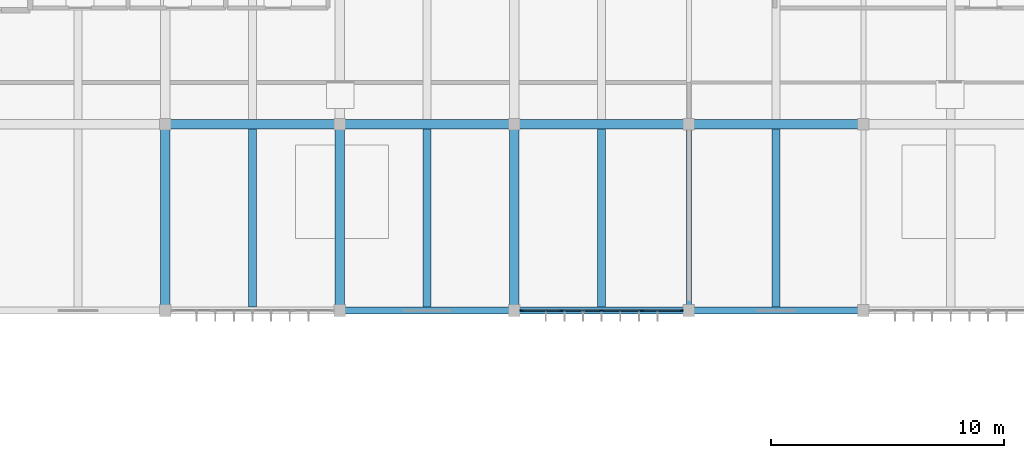
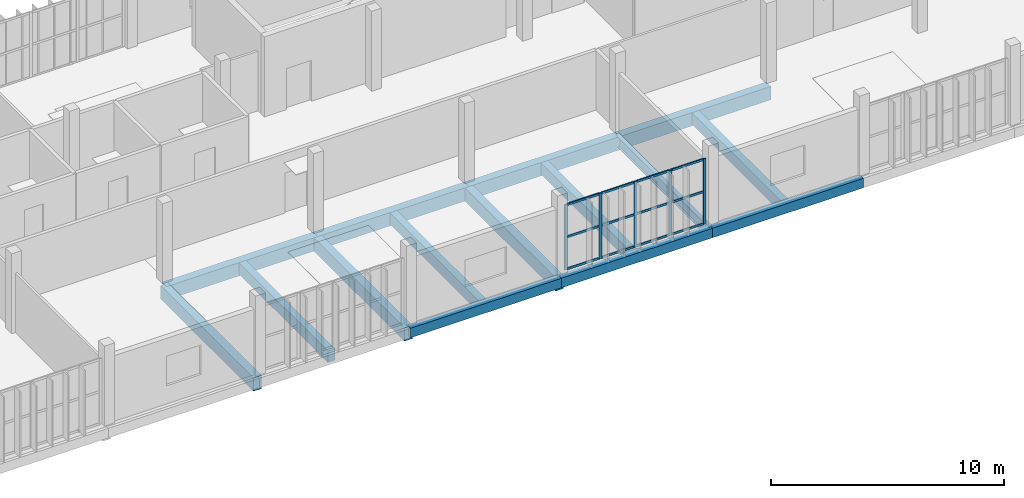
# One storey, part 9 of 27: 17 members, 15 beams, 1 element without a shape of its own.
"""IFC4 building model written with IfcOpenShell, lengths in metres."""

from ifc_helpers import new_model, si_unit, direction, frame, origin, origin_2d, place, context, subcontext, project, spatial, rectangle, i_section, extrude, material, material_profile, profile_set, type_object, element, aggregate, save


model = new_model("IFC4")

# Units and contexts
model_context = context("Model", 3, precision=1e-05, world=origin(), true_north=direction((0.0, 1.0)))
body_context = subcontext(model_context, "Body", "Model", "MODEL_VIEW")
ifc_project = project(units=[si_unit("LENGTHUNIT", "METRE"), si_unit("AREAUNIT", "SQUARE_METRE"), si_unit("VOLUMEUNIT", "CUBIC_METRE"), si_unit("PLANEANGLEUNIT", "RADIAN"), si_unit("MASSUNIT", "GRAM", prefix="KILO")], contexts=[model_context])

# Site, building, storey
site_placement = place(None, origin())
site = spatial("IfcSite", under=ifc_project, at=site_placement, CompositionType="ELEMENT")
building_placement = place(site_placement, origin())
building = spatial("IfcBuilding", under=site, at=building_placement, Name="Vourika Railside Aquatics Centre", CompositionType="ELEMENT")
storey_placement = place(building_placement, frame((0.0, 0.0, 13.5)))
storey = spatial("IfcBuildingStorey", under=building, at=storey_placement, Name="L03", CompositionType="ELEMENT", Elevation=13.5)

# Beams
ifc_material_1 = material(Name="Concrete C35/45", Category="concrete")
ifc_material_profile_1 = material_profile(ifc_material_1, rectangle(XDim=0.39990234375, YDim=0.699951171875, at=origin_2d()), Name="RC 400x700")
ifc_profile_set_1 = profile_set([ifc_material_profile_1], Name="Concrete C35/45")
beam_type_1 = type_object("IfcBeamType", Name="BM-GIRD-400x700", PredefinedType="BEAM", material=ifc_profile_set_1)
for number, where, z_axis, x_axis, name in (
    (1, (66.0, 100.0, -0.610107421875), (1.0, 0.0, 0.0), (0.0, 1.0, 0.0), "Floor Beam GX-L03-061"),
    (2, (73.5, 100.0, -0.610107421875), (1.0, 0.0, 0.0), (0.0, 1.0, 0.0), "Floor Beam GX-L03-062"),
    (3, (81.0, 100.0, -0.610107421875), (1.0, 0.0, 0.0), (0.0, 1.0, 0.0), "Floor Beam GX-L03-063"),
    (4, (88.5, 100.0, -0.610107421875), (1.0, 0.0, 0.0), (0.0, 1.0, 0.0), "Floor Beam GX-L03-064"),
):
    element("IfcBeam", number, at=place(storey_placement, frame(where, z_axis=z_axis, x_axis=x_axis)), inside=storey, type_object=beam_type_1, Name=name, PredefinedType="BEAM", context=body_context, shape_type="SweptSolid", body=[
        extrude(rectangle(XDim=0.39990234375, YDim=0.699951171875, at=origin_2d()), origin(), (0.0, 0.0, 1.0), 7.5),
    ])
for number, where, z_axis, x_axis, name in (
    (5, (66.0, 92.0, -0.610107421875), (0.0, 1.0, 0.0), (-1.0, 0.0, 0.0), "Floor Girder GY-L03-135"),
    (6, (73.5, 92.0, -0.610107421875), (0.0, 1.0, 0.0), (-1.0, 0.0, 0.0), "Floor Girder GY-L03-138"),
    (7, (81.0, 92.0, -0.610107421875), (0.0, 1.0, 0.0), (-1.0, 0.0, 0.0), "Floor Girder GY-L03-141"),
):
    element("IfcBeam", number, at=place(storey_placement, frame(where, z_axis=z_axis, x_axis=x_axis)), inside=storey, type_object=beam_type_1, Name=name, PredefinedType="BEAM", context=body_context, shape_type="SweptSolid", body=[
        extrude(rectangle(XDim=0.39990234375, YDim=0.699951171875, at=origin_2d()), origin(), (0.0, 0.0, 1.0), 8.0),
    ])
ifc_material_profile_2 = material_profile(ifc_material_1, rectangle(XDim=0.35009765625, YDim=0.60009765625, at=origin_2d()), Name="RC 350x600")
ifc_profile_set_2 = profile_set([ifc_material_profile_2], Name="Concrete C35/45")
beam_type_2 = type_object("IfcBeamType", Name="BM-SEC-350x600", PredefinedType="JOIST", material=ifc_profile_set_2)
for number, where, z_axis, x_axis, name in (
    (8, (69.75, 92.14990234375, -0.56005859375), (0.0, 1.0, 0.0), (-1.0, 0.0, 0.0), "Secondary Joist JY-L03-220"),
    (9, (77.25, 92.14990234375, -0.56005859375), (0.0, 1.0, 0.0), (-1.0, 0.0, 0.0), "Secondary Joist JY-L03-221"),
    (10, (84.75, 92.14990234375, -0.56005859375), (0.0, 1.0, 0.0), (-1.0, 0.0, 0.0), "Secondary Joist JY-L03-222"),
    (11, (92.25, 92.14990234375, -0.56005859375), (0.0, 1.0, 0.0), (-1.0, 0.0, 0.0), "Secondary Joist JY-L03-223"),
):
    element("IfcBeam", number, at=place(storey_placement, frame(where, z_axis=z_axis, x_axis=x_axis)), inside=storey, type_object=beam_type_2, Name=name, PredefinedType="JOIST", context=body_context, shape_type="SweptSolid", body=[
        extrude(rectangle(XDim=0.35009765625, YDim=0.60009765625, at=origin_2d()), origin(), (0.0, 0.0, 1.0), 7.650146484375),
    ])
ifc_material_profile_3 = material_profile(ifc_material_1, rectangle(XDim=0.300048828125, YDim=0.5, at=origin_2d()), Name="RC 300x500")
ifc_profile_set_3 = profile_set([ifc_material_profile_3], Name="Concrete C35/45")
beam_type_3 = type_object("IfcBeamType", Name="BM-SPAN-300x500", PredefinedType="SPANDREL", material=ifc_profile_set_3)
for number, where, z_axis, x_axis, name in (
    (12, (73.5, 92.0, -0.510009765625), (1.0, 0.0, 0.0), (0.0, 1.0, 0.0), "Floor Beam GX-L03-043"),
    (13, (81.0, 92.0, -0.510009765625), (1.0, 0.0, 0.0), (0.0, 1.0, 0.0), "Floor Beam GX-L03-044"),
    (14, (88.5, 92.0, -0.510009765625), (1.0, 0.0, 0.0), (0.0, 1.0, 0.0), "Floor Beam GX-L03-045"),
):
    element("IfcBeam", number, at=place(storey_placement, frame(where, z_axis=z_axis, x_axis=x_axis)), inside=storey, type_object=beam_type_3, Name=name, PredefinedType="SPANDREL", context=body_context, shape_type="SweptSolid", body=[
        extrude(rectangle(XDim=0.300048828125, YDim=0.5, at=origin_2d()), origin(), (0.0, 0.0, 1.0), 7.5),
    ])
ifc_material_2 = material(Name="Steel S355J2", Category="steel")
ifc_material_profile_4 = material_profile(ifc_material_2, i_section(OverallWidth=0.2099609375, OverallDepth=0.550048828125, WebThickness=0.010986328125, FlangeThickness=0.01708984375, at=origin_2d()), Name="IPE 550")
ifc_profile_set_4 = profile_set([ifc_material_profile_4], Name="Steel S355J2")
beam_type_4 = type_object("IfcBeamType", Name="BM-STL-IPE550", PredefinedType="BEAM", material=ifc_profile_set_4)
beam_placement = place(storey_placement, frame((88.5, 92.0, -0.534912109375), z_axis=(0.0, 1.0, 0.0), x_axis=(-1.0, 0.0, 0.0)))
element("IfcBeam", 15, at=beam_placement, inside=storey, type_object=beam_type_4, Name="Floor Girder GY-L03-143", PredefinedType="BEAM", context=body_context, shape_type="SweptSolid", body=[
    extrude(i_section(OverallWidth=0.2099609375, OverallDepth=0.550048828125, WebThickness=0.010986328125, FlangeThickness=0.01708984375, at=origin_2d()), origin(), (0.0, 0.0, 1.0), 8.0),
])

# Curtain wall, members
ifc_material_3 = material(Name="Anodized thermally broken aluminium", Category="aluminium")
curtain_wall_type = type_object("IfcCurtainWallType", Name="CW-FIT3", PredefinedType="NOTDEFINED", material=ifc_material_3)
curtain_wall_placement = place(storey_placement, origin())
curtain_wall = element("IfcCurtainWall", 16, at=curtain_wall_placement, inside=storey, type_object=curtain_wall_type, Name="Courtyard Fitness Curtain Wall L03-7", PredefinedType="NOTDEFINED")
ifc_material_4 = material(Name="Anodized aluminium mullion", Category="aluminium")
ifc_material_profile_5 = material_profile(ifc_material_4, rectangle(XDim=0.05810546875, YDim=0.14208984375, at=origin_2d()), Name="ALU-M 58x142")
ifc_profile_set_5 = profile_set([ifc_material_profile_5], Name="Anodized aluminium mullion")
member_type_1 = type_object("IfcMemberType", Name="CWM-FIT3", PredefinedType="MULLION", material=ifc_profile_set_5)
member_1_placement = place(storey_placement, frame((81.30908203125, 92.0, 0.0), z_axis=(0.0, 0.0, 1.0), x_axis=(0.0, 1.0, 0.0)))
member_1 = element("IfcMember", 17, at=member_1_placement, type_object=member_type_1, Name="CW17 mullion 1", PredefinedType="MULLION", context=body_context, shape_type="SweptSolid", body=[
    extrude(rectangle(XDim=0.05810546875, YDim=0.14208984375, at=origin_2d()), origin(), (0.0, 0.0, 1.0), 3.429931640625),
])
member_2_placement = place(storey_placement, frame((83.014892578125, 92.0, 0.0), z_axis=(0.0, 0.0, 1.0), x_axis=(0.0, 1.0, 0.0)))
member_2 = element("IfcMember", 18, at=member_2_placement, type_object=member_type_1, Name="CW17 mullion 2", PredefinedType="MULLION", context=body_context, shape_type="SweptSolid", body=[
    extrude(rectangle(XDim=0.05810546875, YDim=0.14208984375, at=origin_2d()), origin(), (0.0, 0.0, 1.0), 3.429931640625),
])
member_3_placement = place(storey_placement, frame((84.75, 92.0, 0.0), z_axis=(0.0, 0.0, 1.0), x_axis=(0.0, 1.0, 0.0)))
member_3 = element("IfcMember", 19, at=member_3_placement, type_object=member_type_1, Name="CW17 mullion 3", PredefinedType="MULLION", context=body_context, shape_type="SweptSolid", body=[
    extrude(rectangle(XDim=0.05810546875, YDim=0.14208984375, at=origin_2d()), origin(), (0.0, 0.0, 1.0), 3.429931640625),
])
member_4_placement = place(storey_placement, frame((86.485107421875, 92.0, 0.0), z_axis=(0.0, 0.0, 1.0), x_axis=(0.0, 1.0, 0.0)))
member_4 = element("IfcMember", 20, at=member_4_placement, type_object=member_type_1, Name="CW17 mullion 4", PredefinedType="MULLION", context=body_context, shape_type="SweptSolid", body=[
    extrude(rectangle(XDim=0.05810546875, YDim=0.14208984375, at=origin_2d()), origin(), (0.0, 0.0, 1.0), 3.429931640625),
])
member_5_placement = place(storey_placement, frame((88.19091796875, 92.0, 0.0), z_axis=(0.0, 0.0, 1.0), x_axis=(0.0, 1.0, 0.0)))
member_5 = element("IfcMember", 21, at=member_5_placement, type_object=member_type_1, Name="CW17 mullion 5", PredefinedType="MULLION", context=body_context, shape_type="SweptSolid", body=[
    extrude(rectangle(XDim=0.05810546875, YDim=0.14208984375, at=origin_2d()), origin(), (0.0, 0.0, 1.0), 3.429931640625),
])
ifc_material_5 = material(Name="Anodized aluminium transom", Category="aluminium")
ifc_material_profile_6 = material_profile(ifc_material_5, rectangle(XDim=0.05810546875, YDim=0.112060546875, at=origin_2d()), Name="ALU-T 58x112")
ifc_profile_set_6 = profile_set([ifc_material_profile_6], Name="Anodized aluminium transom")
member_type_2 = type_object("IfcMemberType", Name="CWT-FIT3", PredefinedType="USERDEFINED", material=ifc_profile_set_6)
member_6_placement = place(storey_placement, frame((81.337890625, 92.0, 0.029052734375), z_axis=(1.0, 0.0, 0.0), x_axis=(0.0, 1.0, 0.0)))
member_6 = element("IfcMember", 22, at=member_6_placement, type_object=member_type_2, Name="CW17 transom 1.1", ObjectType="TRANSOM", PredefinedType="USERDEFINED", context=body_context, shape_type="SweptSolid", body=[
    extrude(rectangle(XDim=0.05810546875, YDim=0.112060546875, at=origin_2d()), origin(), (0.0, 0.0, 1.0), 1.648193359375),
])
member_7_placement = place(storey_placement, frame((81.337890625, 92.0, 1.715087890625), z_axis=(1.0, 0.0, 0.0), x_axis=(0.0, 1.0, 0.0)))
member_7 = element("IfcMember", 23, at=member_7_placement, type_object=member_type_2, Name="CW17 transom 1.2", ObjectType="TRANSOM", PredefinedType="USERDEFINED", context=body_context, shape_type="SweptSolid", body=[
    extrude(rectangle(XDim=0.05810546875, YDim=0.112060546875, at=origin_2d()), origin(), (0.0, 0.0, 1.0), 1.648193359375),
])
member_8_placement = place(storey_placement, frame((81.337890625, 92.0, 3.40087890625), z_axis=(1.0, 0.0, 0.0), x_axis=(0.0, 1.0, 0.0)))
member_8 = element("IfcMember", 24, at=member_8_placement, type_object=member_type_2, Name="CW17 transom 1.3", ObjectType="TRANSOM", PredefinedType="USERDEFINED", context=body_context, shape_type="SweptSolid", body=[
    extrude(rectangle(XDim=0.05810546875, YDim=0.112060546875, at=origin_2d()), origin(), (0.0, 0.0, 1.0), 1.648193359375),
])
member_9_placement = place(storey_placement, frame((83.0439453125, 92.0, 0.029052734375), z_axis=(1.0, 0.0, 0.0), x_axis=(0.0, 1.0, 0.0)))
member_9 = element("IfcMember", 25, at=member_9_placement, type_object=member_type_2, Name="CW17 transom 2.1", ObjectType="TRANSOM", PredefinedType="USERDEFINED", context=body_context, shape_type="SweptSolid", body=[
    extrude(rectangle(XDim=0.05810546875, YDim=0.112060546875, at=origin_2d()), origin(), (0.0, 0.0, 1.0), 1.677001953125),
])
member_10_placement = place(storey_placement, frame((83.0439453125, 92.0, 1.715087890625), z_axis=(1.0, 0.0, 0.0), x_axis=(0.0, 1.0, 0.0)))
member_10 = element("IfcMember", 26, at=member_10_placement, type_object=member_type_2, Name="CW17 transom 2.2", ObjectType="TRANSOM", PredefinedType="USERDEFINED", context=body_context, shape_type="SweptSolid", body=[
    extrude(rectangle(XDim=0.05810546875, YDim=0.112060546875, at=origin_2d()), origin(), (0.0, 0.0, 1.0), 1.677001953125),
])
member_11_placement = place(storey_placement, frame((83.0439453125, 92.0, 3.40087890625), z_axis=(1.0, 0.0, 0.0), x_axis=(0.0, 1.0, 0.0)))
member_11 = element("IfcMember", 27, at=member_11_placement, type_object=member_type_2, Name="CW17 transom 2.3", ObjectType="TRANSOM", PredefinedType="USERDEFINED", context=body_context, shape_type="SweptSolid", body=[
    extrude(rectangle(XDim=0.05810546875, YDim=0.112060546875, at=origin_2d()), origin(), (0.0, 0.0, 1.0), 1.677001953125),
])
member_12_placement = place(storey_placement, frame((84.779052734375, 92.0, 0.029052734375), z_axis=(1.0, 0.0, 0.0), x_axis=(0.0, 1.0, 0.0)))
member_12 = element("IfcMember", 28, at=member_12_placement, type_object=member_type_2, Name="CW17 transom 3.1", ObjectType="TRANSOM", PredefinedType="USERDEFINED", context=body_context, shape_type="SweptSolid", body=[
    extrude(rectangle(XDim=0.05810546875, YDim=0.112060546875, at=origin_2d()), origin(), (0.0, 0.0, 1.0), 1.677001953125),
])
member_13_placement = place(storey_placement, frame((84.779052734375, 92.0, 1.715087890625), z_axis=(1.0, 0.0, 0.0), x_axis=(0.0, 1.0, 0.0)))
member_13 = element("IfcMember", 29, at=member_13_placement, type_object=member_type_2, Name="CW17 transom 3.2", ObjectType="TRANSOM", PredefinedType="USERDEFINED", context=body_context, shape_type="SweptSolid", body=[
    extrude(rectangle(XDim=0.05810546875, YDim=0.112060546875, at=origin_2d()), origin(), (0.0, 0.0, 1.0), 1.677001953125),
])
member_14_placement = place(storey_placement, frame((84.779052734375, 92.0, 3.40087890625), z_axis=(1.0, 0.0, 0.0), x_axis=(0.0, 1.0, 0.0)))
member_14 = element("IfcMember", 30, at=member_14_placement, type_object=member_type_2, Name="CW17 transom 3.3", ObjectType="TRANSOM", PredefinedType="USERDEFINED", context=body_context, shape_type="SweptSolid", body=[
    extrude(rectangle(XDim=0.05810546875, YDim=0.112060546875, at=origin_2d()), origin(), (0.0, 0.0, 1.0), 1.677001953125),
])
member_15_placement = place(storey_placement, frame((86.513916015625, 92.0, 0.029052734375), z_axis=(1.0, 0.0, 0.0), x_axis=(0.0, 1.0, 0.0)))
member_15 = element("IfcMember", 31, at=member_15_placement, type_object=member_type_2, Name="CW17 transom 4.1", ObjectType="TRANSOM", PredefinedType="USERDEFINED", context=body_context, shape_type="SweptSolid", body=[
    extrude(rectangle(XDim=0.05810546875, YDim=0.112060546875, at=origin_2d()), origin(), (0.0, 0.0, 1.0), 1.648193359375),
])
member_16_placement = place(storey_placement, frame((86.513916015625, 92.0, 1.715087890625), z_axis=(1.0, 0.0, 0.0), x_axis=(0.0, 1.0, 0.0)))
member_16 = element("IfcMember", 32, at=member_16_placement, type_object=member_type_2, Name="CW17 transom 4.2", ObjectType="TRANSOM", PredefinedType="USERDEFINED", context=body_context, shape_type="SweptSolid", body=[
    extrude(rectangle(XDim=0.05810546875, YDim=0.112060546875, at=origin_2d()), origin(), (0.0, 0.0, 1.0), 1.648193359375),
])
member_17_placement = place(storey_placement, frame((86.513916015625, 92.0, 3.40087890625), z_axis=(1.0, 0.0, 0.0), x_axis=(0.0, 1.0, 0.0)))
member_17 = element("IfcMember", 33, at=member_17_placement, type_object=member_type_2, Name="CW17 transom 4.3", ObjectType="TRANSOM", PredefinedType="USERDEFINED", context=body_context, shape_type="SweptSolid", body=[
    extrude(rectangle(XDim=0.05810546875, YDim=0.112060546875, at=origin_2d()), origin(), (0.0, 0.0, 1.0), 1.648193359375),
])
aggregate(curtain_wall, [member_1, member_2, member_3, member_4, member_5, member_6, member_7, member_8, member_9, member_10, member_11, member_12, member_13, member_14, member_15, member_16, member_17])

save(model, "model.ifc")
